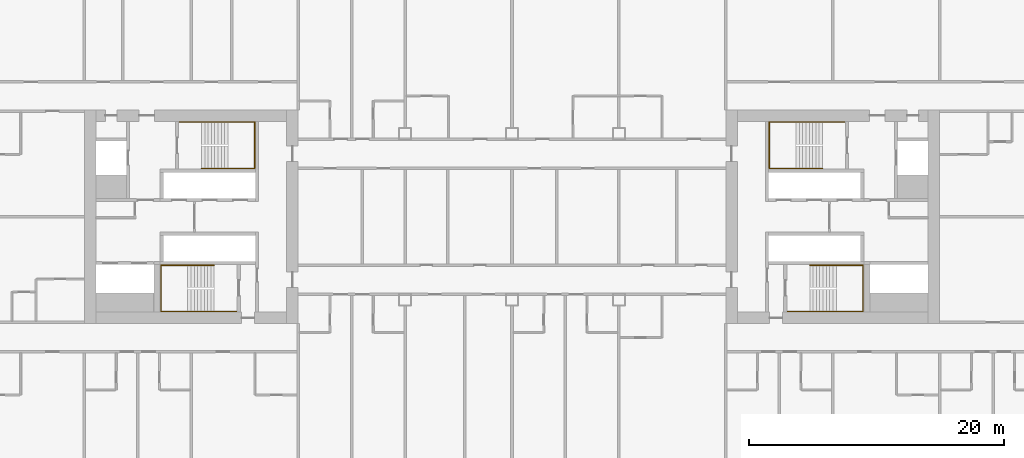
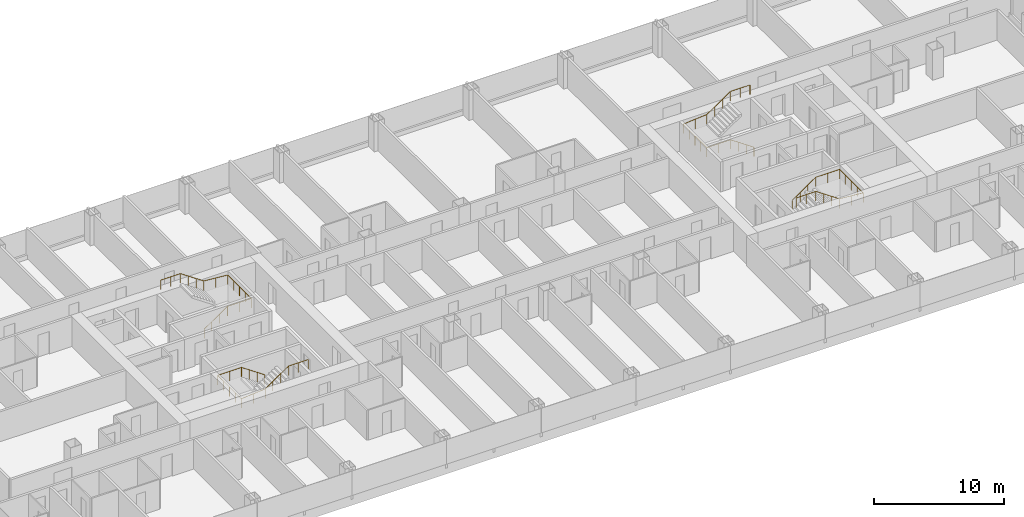
# One storey, part 29 of 29: 4 railings.
"""IFC4 building model written with IfcOpenShell, lengths in metres."""

from ifc_helpers import new_model, si_unit, direction, frame, origin, origin_2d, place, context, subcontext, project, spatial, circle, extrude, material, type_object, element, save


model = new_model("IFC4")

# Units and contexts
model_context = context("Model", 3, precision=1e-05, world=origin(), true_north=direction((0.0, 1.0)))
body_context = subcontext(model_context, "Body", "Model", "MODEL_VIEW")
ifc_project = project(units=[si_unit("LENGTHUNIT", "METRE"), si_unit("AREAUNIT", "SQUARE_METRE"), si_unit("VOLUMEUNIT", "CUBIC_METRE"), si_unit("PLANEANGLEUNIT", "RADIAN"), si_unit("MASSUNIT", "GRAM", prefix="KILO")], contexts=[model_context])

# Site, building, storey
site_placement = place(None, origin())
site = spatial("IfcSite", under=ifc_project, at=site_placement, CompositionType="ELEMENT")
building_placement = place(site_placement, origin())
building = spatial("IfcBuilding", under=site, at=building_placement, Name="Hakoniwa Tower and Hamabe Station Hall", CompositionType="ELEMENT")
storey_placement = place(building_placement, frame((0.0, 0.0, 45.39990234375)))
storey = spatial("IfcBuildingStorey", under=building, at=storey_placement, Name="L12", CompositionType="ELEMENT", Elevation=45.39990234375)

# Railings
ifc_material = material(Name="Stainless steel SUS304", Category="steel")
railing_type = type_object("IfcRailingType", Name="STAIR HANDRAIL 900", PredefinedType="HANDRAIL", material=ifc_material)
railing_1_placement = place(storey_placement, frame((-24.39990234375, 3.81005859375, 0.177978515625)))
element("IfcRailing", 1, at=railing_1_placement, inside=storey, type_object=railing_type, Name="Handrail ST-1 L12 1", PredefinedType="HANDRAIL", context=body_context, shape_type="SweptSolid", body=[
    extrude(circle(Radius=0.02392578125, at=origin_2d()), frame((0.0, 0.0, 0.8759765625), z_axis=(0.825478349766, 0.0, 0.564433781827), x_axis=(0.0, 1.0, 0.0)), (0.0, 0.0, 1.0), 2.51953125),
    extrude(circle(Radius=0.02392578125, at=origin_2d()), frame((2.079833984375, 0.0, 2.2978515625), z_axis=(1.0, 0.0, 0.0), x_axis=(0.0, 1.0, 0.0)), (0.0, 0.0, 1.0), 2.110107421875),
    extrude(circle(Radius=0.02392578125, at=origin_2d()), frame((4.18994140625, 0.0, 2.2978515625), z_axis=(0.0, 1.0, 0.0), x_axis=(-1.0, 0.0, 0.0)), (0.0, 0.0, 1.0), 3.6298828125),
    extrude(circle(Radius=0.02392578125, at=origin_2d()), frame((4.18994140625, 3.6298828125, 2.2978515625), z_axis=(-0.996471417081, 0.0, 0.083932800143), x_axis=(0.0, -1.0, 0.0)), (0.0, 0.0, 1.0), 2.11767578125),
    extrude(circle(Radius=0.02392578125, at=origin_2d()), frame((2.079833984375, 3.6298828125, 2.4755859375), z_axis=(-0.825433201882, 0.0, 0.564499804456), x_axis=(0.0, -1.0, 0.0)), (0.0, 0.0, 1.0), 2.519775390625),
    extrude(circle(Radius=0.02392578125, at=origin_2d()), frame((0.0, 3.6298828125, 3.89794921875), z_axis=(-1.0, 0.0, 0.0), x_axis=(0.0, -1.0, 0.0)), (0.0, 0.0, 1.0), 1.739990234375),
    extrude(circle(Radius=0.02099609375, at=origin_2d()), origin(), (0.0, 0.0, 1.0), 0.851806640625),
    extrude(circle(Radius=0.02099609375, at=origin_2d()), frame((0.693359375, 0.0, 0.47412109375)), (0.0, 0.0, 1.0), 0.851806640625),
    extrude(circle(Radius=0.02099609375, at=origin_2d()), frame((1.386474609375, 0.0, 0.947998046875)), (0.0, 0.0, 1.0), 0.851806640625),
    extrude(circle(Radius=0.02099609375, at=origin_2d()), frame((2.079833984375, 0.0, 1.422119140625)), (0.0, 0.0, 1.0), 0.851806640625),
    extrude(circle(Radius=0.02099609375, at=origin_2d()), frame((3.134765625, 0.0, 1.422119140625)), (0.0, 0.0, 1.0), 0.851806640625),
    extrude(circle(Radius=0.02099609375, at=origin_2d()), frame((4.18994140625, 0.0, 1.422119140625)), (0.0, 0.0, 1.0), 0.851806640625),
    extrude(circle(Radius=0.02099609375, at=origin_2d()), frame((4.18994140625, 0.907470703125, 1.422119140625)), (0.0, 0.0, 1.0), 0.851806640625),
    extrude(circle(Radius=0.02099609375, at=origin_2d()), frame((4.18994140625, 1.81494140625, 1.422119140625)), (0.0, 0.0, 1.0), 0.851806640625),
    extrude(circle(Radius=0.02099609375, at=origin_2d()), frame((4.18994140625, 2.722412109375, 1.422119140625)), (0.0, 0.0, 1.0), 0.851806640625),
    extrude(circle(Radius=0.02099609375, at=origin_2d()), frame((4.18994140625, 3.6298828125, 1.422119140625)), (0.0, 0.0, 1.0), 0.851806640625),
    extrude(circle(Radius=0.02099609375, at=origin_2d()), frame((3.134765625, 3.6298828125, 1.510986328125)), (0.0, 0.0, 1.0), 0.851806640625),
    extrude(circle(Radius=0.02099609375, at=origin_2d()), frame((2.079833984375, 3.6298828125, 1.599853515625)), (0.0, 0.0, 1.0), 0.851806640625),
    extrude(circle(Radius=0.02099609375, at=origin_2d()), frame((1.386474609375, 3.6298828125, 2.073974609375)), (0.0, 0.0, 1.0), 0.851806640625),
    extrude(circle(Radius=0.02099609375, at=origin_2d()), frame((0.693359375, 3.6298828125, 2.548095703125)), (0.0, 0.0, 1.0), 0.851806640625),
    extrude(circle(Radius=0.02099609375, at=origin_2d()), frame((0.0, 3.6298828125, 3.022216796875)), (0.0, 0.0, 1.0), 0.851806640625),
    extrude(circle(Radius=0.02099609375, at=origin_2d()), frame((-0.8701171875, 3.6298828125, 3.022216796875)), (0.0, 0.0, 1.0), 0.851806640625),
    extrude(circle(Radius=0.02099609375, at=origin_2d()), frame((-1.739990234375, 3.6298828125, 3.022216796875)), (0.0, 0.0, 1.0), 0.851806640625),
])
railing_2_placement = place(storey_placement, frame((-23.39990234375, -3.81005859375, 0.177978515625)))
element("IfcRailing", 2, at=railing_2_placement, inside=storey, type_object=railing_type, Name="Handrail ST-2 L12 1", PredefinedType="HANDRAIL", context=body_context, shape_type="SweptSolid", body=[
    extrude(circle(Radius=0.02392578125, at=origin_2d()), frame((0.0, 0.0, 0.8759765625), z_axis=(-0.82550921652, 0.0, 0.564388636881), x_axis=(0.0, -1.0, 0.0)), (0.0, 0.0, 1.0), 2.519775390625),
    extrude(circle(Radius=0.02392578125, at=origin_2d()), frame((-2.080078125, 0.0, 2.2978515625), z_axis=(-1.0, 0.0, 0.0), x_axis=(0.0, -1.0, 0.0)), (0.0, 0.0, 1.0), 2.110107421875),
    extrude(circle(Radius=0.02392578125, at=origin_2d()), frame((-4.190185546875, 0.0, 2.2978515625), z_axis=(0.0, -1.0, 0.0), x_axis=(1.0, 0.0, 0.0)), (0.0, 0.0, 1.0), 3.6298828125),
    extrude(circle(Radius=0.02392578125, at=origin_2d()), frame((-4.190185546875, -3.6298828125, 2.2978515625), z_axis=(0.996471417081, 0.0, 0.083932800143), x_axis=(0.0, 1.0, 0.0)), (0.0, 0.0, 1.0), 2.11767578125),
    extrude(circle(Radius=0.02392578125, at=origin_2d()), frame((-2.080078125, -3.6298828125, 2.4755859375), z_axis=(0.825464074169, 0.0, 0.564454659168), x_axis=(0.0, 1.0, 0.0)), (0.0, 0.0, 1.0), 2.519775390625),
    extrude(circle(Radius=0.02392578125, at=origin_2d()), frame((0.0, -3.6298828125, 3.89794921875), z_axis=(1.0, 0.0, 0.0), x_axis=(0.0, 1.0, 0.0)), (0.0, 0.0, 1.0), 1.739990234375),
    extrude(circle(Radius=0.02099609375, at=origin_2d()), origin(), (0.0, 0.0, 1.0), 0.851806640625),
    extrude(circle(Radius=0.02099609375, at=origin_2d()), frame((-0.693359375, 0.0, 0.47412109375)), (0.0, 0.0, 1.0), 0.851806640625),
    extrude(circle(Radius=0.02099609375, at=origin_2d()), frame((-1.38671875, 0.0, 0.947998046875)), (0.0, 0.0, 1.0), 0.851806640625),
    extrude(circle(Radius=0.02099609375, at=origin_2d()), frame((-2.080078125, 0.0, 1.422119140625)), (0.0, 0.0, 1.0), 0.851806640625),
    extrude(circle(Radius=0.02099609375, at=origin_2d()), frame((-3.13525390625, 0.0, 1.422119140625)), (0.0, 0.0, 1.0), 0.851806640625),
    extrude(circle(Radius=0.02099609375, at=origin_2d()), frame((-4.190185546875, 0.0, 1.422119140625)), (0.0, 0.0, 1.0), 0.851806640625),
    extrude(circle(Radius=0.02099609375, at=origin_2d()), frame((-4.190185546875, -0.907470703125, 1.422119140625)), (0.0, 0.0, 1.0), 0.851806640625),
    extrude(circle(Radius=0.02099609375, at=origin_2d()), frame((-4.190185546875, -1.81494140625, 1.422119140625)), (0.0, 0.0, 1.0), 0.851806640625),
    extrude(circle(Radius=0.02099609375, at=origin_2d()), frame((-4.190185546875, -2.722412109375, 1.422119140625)), (0.0, 0.0, 1.0), 0.851806640625),
    extrude(circle(Radius=0.02099609375, at=origin_2d()), frame((-4.190185546875, -3.6298828125, 1.422119140625)), (0.0, 0.0, 1.0), 0.851806640625),
    extrude(circle(Radius=0.02099609375, at=origin_2d()), frame((-3.13525390625, -3.6298828125, 1.510986328125)), (0.0, 0.0, 1.0), 0.851806640625),
    extrude(circle(Radius=0.02099609375, at=origin_2d()), frame((-2.080078125, -3.6298828125, 1.599853515625)), (0.0, 0.0, 1.0), 0.851806640625),
    extrude(circle(Radius=0.02099609375, at=origin_2d()), frame((-1.38671875, -3.6298828125, 2.073974609375)), (0.0, 0.0, 1.0), 0.851806640625),
    extrude(circle(Radius=0.02099609375, at=origin_2d()), frame((-0.693359375, -3.6298828125, 2.548095703125)), (0.0, 0.0, 1.0), 0.851806640625),
    extrude(circle(Radius=0.02099609375, at=origin_2d()), frame((0.0, -3.6298828125, 3.022216796875)), (0.0, 0.0, 1.0), 0.851806640625),
    extrude(circle(Radius=0.02099609375, at=origin_2d()), frame((0.8701171875, -3.6298828125, 3.022216796875)), (0.0, 0.0, 1.0), 0.851806640625),
    extrude(circle(Radius=0.02099609375, at=origin_2d()), frame((1.739990234375, -3.6298828125, 3.022216796875)), (0.0, 0.0, 1.0), 0.851806640625),
])
railing_3_placement = place(storey_placement, frame((24.39990234375, 3.81005859375, 0.177978515625)))
element("IfcRailing", 3, at=railing_3_placement, inside=storey, type_object=railing_type, Name="Handrail ST-3 L12 1", PredefinedType="HANDRAIL", context=body_context, shape_type="SweptSolid", body=[
    extrude(circle(Radius=0.02392578125, at=origin_2d()), frame((0.0, 0.0, 0.8759765625), z_axis=(-0.825478349766, 0.0, 0.564433781827), x_axis=(0.0, -1.0, 0.0)), (0.0, 0.0, 1.0), 2.51953125),
    extrude(circle(Radius=0.02392578125, at=origin_2d()), frame((-2.079833984375, 0.0, 2.2978515625), z_axis=(-1.0, 0.0, 0.0), x_axis=(0.0, -1.0, 0.0)), (0.0, 0.0, 1.0), 2.110107421875),
    extrude(circle(Radius=0.02392578125, at=origin_2d()), frame((-4.18994140625, 0.0, 2.2978515625), z_axis=(0.0, 1.0, 0.0), x_axis=(-1.0, 0.0, 0.0)), (0.0, 0.0, 1.0), 3.6298828125),
    extrude(circle(Radius=0.02392578125, at=origin_2d()), frame((-4.18994140625, 3.6298828125, 2.2978515625), z_axis=(0.996471417081, 0.0, 0.083932800143), x_axis=(0.0, 1.0, 0.0)), (0.0, 0.0, 1.0), 2.11767578125),
    extrude(circle(Radius=0.02392578125, at=origin_2d()), frame((-2.079833984375, 3.6298828125, 2.4755859375), z_axis=(0.825433201882, 0.0, 0.564499804456), x_axis=(0.0, 1.0, 0.0)), (0.0, 0.0, 1.0), 2.519775390625),
    extrude(circle(Radius=0.02392578125, at=origin_2d()), frame((0.0, 3.6298828125, 3.89794921875), z_axis=(1.0, 0.0, 0.0), x_axis=(0.0, 1.0, 0.0)), (0.0, 0.0, 1.0), 1.739990234375),
    extrude(circle(Radius=0.02099609375, at=origin_2d()), origin(), (0.0, 0.0, 1.0), 0.851806640625),
    extrude(circle(Radius=0.02099609375, at=origin_2d()), frame((-0.693359375, 0.0, 0.47412109375)), (0.0, 0.0, 1.0), 0.851806640625),
    extrude(circle(Radius=0.02099609375, at=origin_2d()), frame((-1.386474609375, 0.0, 0.947998046875)), (0.0, 0.0, 1.0), 0.851806640625),
    extrude(circle(Radius=0.02099609375, at=origin_2d()), frame((-2.079833984375, 0.0, 1.422119140625)), (0.0, 0.0, 1.0), 0.851806640625),
    extrude(circle(Radius=0.02099609375, at=origin_2d()), frame((-3.134765625, 0.0, 1.422119140625)), (0.0, 0.0, 1.0), 0.851806640625),
    extrude(circle(Radius=0.02099609375, at=origin_2d()), frame((-4.18994140625, 0.0, 1.422119140625)), (0.0, 0.0, 1.0), 0.851806640625),
    extrude(circle(Radius=0.02099609375, at=origin_2d()), frame((-4.18994140625, 0.907470703125, 1.422119140625)), (0.0, 0.0, 1.0), 0.851806640625),
    extrude(circle(Radius=0.02099609375, at=origin_2d()), frame((-4.18994140625, 1.81494140625, 1.422119140625)), (0.0, 0.0, 1.0), 0.851806640625),
    extrude(circle(Radius=0.02099609375, at=origin_2d()), frame((-4.18994140625, 2.722412109375, 1.422119140625)), (0.0, 0.0, 1.0), 0.851806640625),
    extrude(circle(Radius=0.02099609375, at=origin_2d()), frame((-4.18994140625, 3.6298828125, 1.422119140625)), (0.0, 0.0, 1.0), 0.851806640625),
    extrude(circle(Radius=0.02099609375, at=origin_2d()), frame((-3.134765625, 3.6298828125, 1.510986328125)), (0.0, 0.0, 1.0), 0.851806640625),
    extrude(circle(Radius=0.02099609375, at=origin_2d()), frame((-2.079833984375, 3.6298828125, 1.599853515625)), (0.0, 0.0, 1.0), 0.851806640625),
    extrude(circle(Radius=0.02099609375, at=origin_2d()), frame((-1.386474609375, 3.6298828125, 2.073974609375)), (0.0, 0.0, 1.0), 0.851806640625),
    extrude(circle(Radius=0.02099609375, at=origin_2d()), frame((-0.693359375, 3.6298828125, 2.548095703125)), (0.0, 0.0, 1.0), 0.851806640625),
    extrude(circle(Radius=0.02099609375, at=origin_2d()), frame((0.0, 3.6298828125, 3.022216796875)), (0.0, 0.0, 1.0), 0.851806640625),
    extrude(circle(Radius=0.02099609375, at=origin_2d()), frame((0.8701171875, 3.6298828125, 3.022216796875)), (0.0, 0.0, 1.0), 0.851806640625),
    extrude(circle(Radius=0.02099609375, at=origin_2d()), frame((1.739990234375, 3.6298828125, 3.022216796875)), (0.0, 0.0, 1.0), 0.851806640625),
])
railing_4_placement = place(storey_placement, frame((23.39990234375, -3.81005859375, 0.177978515625)))
element("IfcRailing", 4, at=railing_4_placement, inside=storey, type_object=railing_type, Name="Handrail ST-4 L12 1", PredefinedType="HANDRAIL", context=body_context, shape_type="SweptSolid", body=[
    extrude(circle(Radius=0.02392578125, at=origin_2d()), frame((0.0, 0.0, 0.8759765625), z_axis=(0.82550921652, 0.0, 0.564388636881), x_axis=(0.0, 1.0, 0.0)), (0.0, 0.0, 1.0), 2.519775390625),
    extrude(circle(Radius=0.02392578125, at=origin_2d()), frame((2.080078125, 0.0, 2.2978515625), z_axis=(1.0, 0.0, 0.0), x_axis=(0.0, 1.0, 0.0)), (0.0, 0.0, 1.0), 2.110107421875),
    extrude(circle(Radius=0.02392578125, at=origin_2d()), frame((4.190185546875, 0.0, 2.2978515625), z_axis=(0.0, -1.0, 0.0), x_axis=(1.0, 0.0, 0.0)), (0.0, 0.0, 1.0), 3.6298828125),
    extrude(circle(Radius=0.02392578125, at=origin_2d()), frame((4.190185546875, -3.6298828125, 2.2978515625), z_axis=(-0.996471417081, 0.0, 0.083932800143), x_axis=(0.0, -1.0, 0.0)), (0.0, 0.0, 1.0), 2.11767578125),
    extrude(circle(Radius=0.02392578125, at=origin_2d()), frame((2.080078125, -3.6298828125, 2.4755859375), z_axis=(-0.825464074169, 0.0, 0.564454659168), x_axis=(0.0, -1.0, 0.0)), (0.0, 0.0, 1.0), 2.519775390625),
    extrude(circle(Radius=0.02392578125, at=origin_2d()), frame((0.0, -3.6298828125, 3.89794921875), z_axis=(-1.0, 0.0, 0.0), x_axis=(0.0, -1.0, 0.0)), (0.0, 0.0, 1.0), 1.739990234375),
    extrude(circle(Radius=0.02099609375, at=origin_2d()), origin(), (0.0, 0.0, 1.0), 0.851806640625),
    extrude(circle(Radius=0.02099609375, at=origin_2d()), frame((0.693359375, 0.0, 0.47412109375)), (0.0, 0.0, 1.0), 0.851806640625),
    extrude(circle(Radius=0.02099609375, at=origin_2d()), frame((1.38671875, 0.0, 0.947998046875)), (0.0, 0.0, 1.0), 0.851806640625),
    extrude(circle(Radius=0.02099609375, at=origin_2d()), frame((2.080078125, 0.0, 1.422119140625)), (0.0, 0.0, 1.0), 0.851806640625),
    extrude(circle(Radius=0.02099609375, at=origin_2d()), frame((3.13525390625, 0.0, 1.422119140625)), (0.0, 0.0, 1.0), 0.851806640625),
    extrude(circle(Radius=0.02099609375, at=origin_2d()), frame((4.190185546875, 0.0, 1.422119140625)), (0.0, 0.0, 1.0), 0.851806640625),
    extrude(circle(Radius=0.02099609375, at=origin_2d()), frame((4.190185546875, -0.907470703125, 1.422119140625)), (0.0, 0.0, 1.0), 0.851806640625),
    extrude(circle(Radius=0.02099609375, at=origin_2d()), frame((4.190185546875, -1.81494140625, 1.422119140625)), (0.0, 0.0, 1.0), 0.851806640625),
    extrude(circle(Radius=0.02099609375, at=origin_2d()), frame((4.190185546875, -2.722412109375, 1.422119140625)), (0.0, 0.0, 1.0), 0.851806640625),
    extrude(circle(Radius=0.02099609375, at=origin_2d()), frame((4.190185546875, -3.6298828125, 1.422119140625)), (0.0, 0.0, 1.0), 0.851806640625),
    extrude(circle(Radius=0.02099609375, at=origin_2d()), frame((3.13525390625, -3.6298828125, 1.510986328125)), (0.0, 0.0, 1.0), 0.851806640625),
    extrude(circle(Radius=0.02099609375, at=origin_2d()), frame((2.080078125, -3.6298828125, 1.599853515625)), (0.0, 0.0, 1.0), 0.851806640625),
    extrude(circle(Radius=0.02099609375, at=origin_2d()), frame((1.38671875, -3.6298828125, 2.073974609375)), (0.0, 0.0, 1.0), 0.851806640625),
    extrude(circle(Radius=0.02099609375, at=origin_2d()), frame((0.693359375, -3.6298828125, 2.548095703125)), (0.0, 0.0, 1.0), 0.851806640625),
    extrude(circle(Radius=0.02099609375, at=origin_2d()), frame((0.0, -3.6298828125, 3.022216796875)), (0.0, 0.0, 1.0), 0.851806640625),
    extrude(circle(Radius=0.02099609375, at=origin_2d()), frame((-0.8701171875, -3.6298828125, 3.022216796875)), (0.0, 0.0, 1.0), 0.851806640625),
    extrude(circle(Radius=0.02099609375, at=origin_2d()), frame((-1.739990234375, -3.6298828125, 3.022216796875)), (0.0, 0.0, 1.0), 0.851806640625),
])

save(model, "model.ifc")
